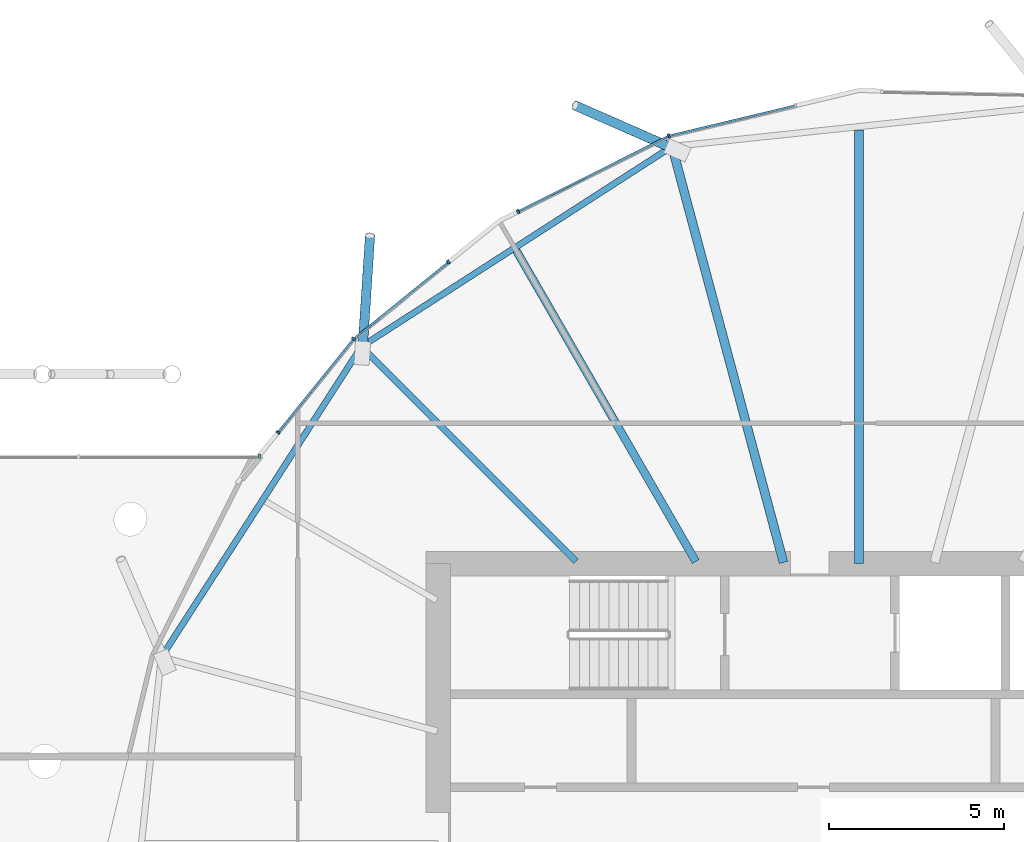
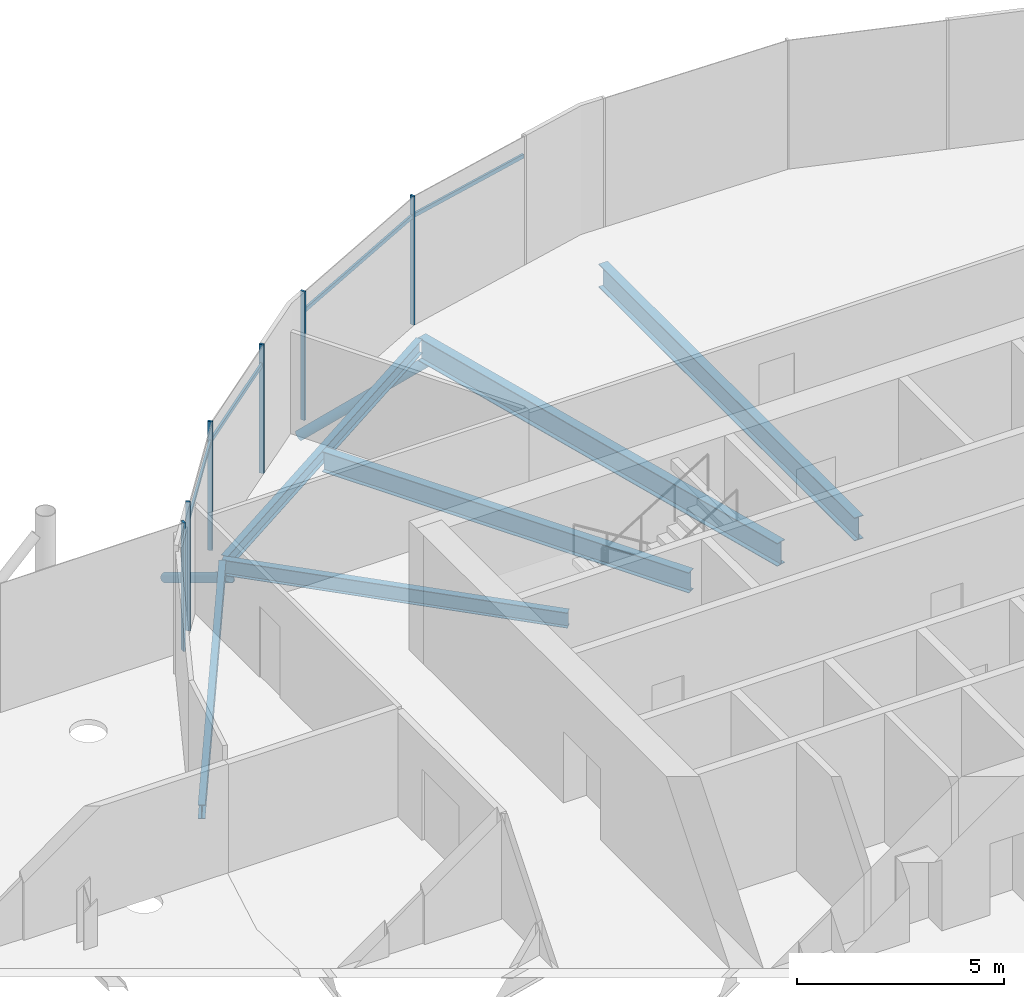
# One storey, part 16 of 39: 12 members, 6 beams, 2 elements without a shape of their own.
"""IFC4 building model written with IfcOpenShell, lengths in metres."""

from ifc_helpers import new_model, si_unit, direction, frame, origin, origin_2d, place, context, subcontext, project, spatial, rectangle, hollow_circle, i_section, extrude, clip, halfspace, material, material_profile, profile_set, type_object, element, aggregate, save


model = new_model("IFC4")

# Units and contexts
model_context = context("Model", 3, precision=1e-05, world=origin(), true_north=direction((0.0, 1.0)))
body_context = subcontext(model_context, "Body", "Model", "MODEL_VIEW")
ifc_project = project(units=[si_unit("LENGTHUNIT", "METRE"), si_unit("AREAUNIT", "SQUARE_METRE"), si_unit("VOLUMEUNIT", "CUBIC_METRE"), si_unit("PLANEANGLEUNIT", "RADIAN"), si_unit("MASSUNIT", "GRAM", prefix="KILO")], contexts=[model_context])

# Site, building, storey
site_placement = place(None, origin())
site = spatial("IfcSite", under=ifc_project, at=site_placement, CompositionType="ELEMENT")
building_placement = place(site_placement, origin())
building = spatial("IfcBuilding", under=site, at=building_placement, Name="Rimbun Link Towers", CompositionType="ELEMENT")
storey_placement = place(building_placement, frame((0.0, 0.0, 139.199951171875)))
storey = spatial("IfcBuildingStorey", under=building, at=storey_placement, Name="L33", CompositionType="ELEMENT", Elevation=139.199951171875)

# Curtain wall, members
ifc_material_1 = material(Name="Aluminium 6063-T6 and low-iron glass", Category="aluminium")
curtain_wall_type = type_object("IfcCurtainWallType", Name="CW4 link block wall", PredefinedType="NOTDEFINED", material=ifc_material_1)
curtain_wall_1_placement = place(storey_placement, origin())
curtain_wall_1 = element("IfcCurtainWall", 1, at=curtain_wall_1_placement, inside=storey, type_object=curtain_wall_type, Name="CW4 L33 T2", PredefinedType="NOTDEFINED")
ifc_material_2 = material(Name="Aluminium 6063-T6", Category="aluminium")
ifc_material_profile_1 = material_profile(ifc_material_2, rectangle(XDim=0.1201171875, YDim=0.06005859375, at=origin_2d()), Name="MULLION 60X120")
ifc_profile_set_1 = profile_set([ifc_material_profile_1], Name="Aluminium 6063-T6")
member_type_1 = type_object("IfcMemberType", Name="CW4 mullion 60X120", PredefinedType="MULLION", material=ifc_profile_set_1)
member_1_placement = place(storey_placement, frame((26.332763671875, 20.197021484375, 0.0), z_axis=(0.0, 0.0, 1.0), x_axis=(-0.342963066451, 0.939348888886, 0.0)))
member_1 = element("IfcMember", 2, at=member_1_placement, type_object=member_type_1, Name="CW4 mullion", PredefinedType="MULLION", context=body_context, shape_type="SweptSolid", body=[
    extrude(rectangle(XDim=0.1201171875, YDim=0.06005859375, at=origin_2d()), origin(), (0.0, 0.0, 1.0), 3.800048828125),
])
member_2_placement = place(storey_placement, frame((22.03173828125, 18.03759765625, 0.0), z_axis=(0.0, 0.0, 1.0), x_axis=(-0.448781608432, 0.893641464981, 0.0)))
member_2 = element("IfcMember", 3, at=member_2_placement, type_object=member_type_1, Name="CW4 mullion", PredefinedType="MULLION", context=body_context, shape_type="SweptSolid", body=[
    extrude(rectangle(XDim=0.1201171875, YDim=0.06005859375, at=origin_2d()), origin(), (0.0, 0.0, 1.0), 3.800048828125),
])
member_3_placement = place(storey_placement, frame((17.34228515625, 14.40771484375, 0.0), z_axis=(0.0, 0.0, 1.0), x_axis=(-0.707106781187, 0.707106781187, 0.0)))
member_3 = element("IfcMember", 4, at=member_3_placement, type_object=member_type_1, Name="CW4 mullion", PredefinedType="MULLION", context=body_context, shape_type="SweptSolid", body=[
    extrude(rectangle(XDim=0.1201171875, YDim=0.06005859375, at=origin_2d()), origin(), (0.0, 0.0, 1.0), 3.800048828125),
])
member_4_placement = place(storey_placement, frame((20.046875, 16.597412109375, 0.0), z_axis=(0.0, 0.0, 1.0), x_axis=(-0.629158779809, 0.777276803841, 0.0)))
member_4 = element("IfcMember", 5, at=member_4_placement, type_object=member_type_1, Name="CW4 mullion", PredefinedType="MULLION", context=body_context, shape_type="SweptSolid", body=[
    extrude(rectangle(XDim=0.1201171875, YDim=0.06005859375, at=origin_2d()), origin(), (0.0, 0.0, 1.0), 3.800048828125),
])
member_5_placement = place(storey_placement, frame((15.18408203125, 11.7421875, 0.0), z_axis=(0.0, 0.0, 1.0), x_axis=(-0.777276803841, 0.629158779809, 0.0)))
member_5 = element("IfcMember", 6, at=member_5_placement, type_object=member_type_1, Name="CW4 mullion", PredefinedType="MULLION", context=body_context, shape_type="SweptSolid", body=[
    extrude(rectangle(XDim=0.1201171875, YDim=0.06005859375, at=origin_2d()), origin(), (0.0, 0.0, 1.0), 3.800048828125),
])

# Curtain wall, member
curtain_wall_2_placement = place(storey_placement, origin())
curtain_wall_2 = element("IfcCurtainWall", 7, at=curtain_wall_2_placement, inside=storey, type_object=curtain_wall_type, Name="CW4 L33 LB", PredefinedType="NOTDEFINED")
member_6_placement = place(storey_placement, frame((14.66064453125, 11.06005859375, 0.0), z_axis=(0.0, 0.0, 1.0), x_axis=(0.0, 1.0, 0.0)))
member_6 = element("IfcMember", 8, at=member_6_placement, type_object=member_type_1, Name="CW4 mullion", PredefinedType="MULLION", context=body_context, shape_type="SweptSolid", body=[
    extrude(rectangle(XDim=0.1201171875, YDim=0.06005859375, at=origin_2d()), origin(), (0.0, 0.0, 1.0), 3.800048828125),
])
aggregate(curtain_wall_2, [member_6])

# Member
ifc_material_3 = material(Name="Aluminium 6063-T6", Category="aluminium")
ifc_material_profile_2 = material_profile(ifc_material_3, rectangle(XDim=0.06005859375, YDim=0.1201171875, at=origin_2d()), Name="TRANSOM 60X120")
ifc_profile_set_2 = profile_set([ifc_material_profile_2], Name="Aluminium 6063-T6")
member_type_2 = type_object("IfcMemberType", Name="CW4 transom 60X120", PredefinedType="USERDEFINED", material=ifc_profile_set_2)
member_7_placement = place(storey_placement, frame((26.368896484375, 20.2041015625, 3.199951171875), z_axis=(0.972585489627, 0.232545619967, 0.0), x_axis=(-0.232545619967, 0.972585489627, 0.0)))
member_7 = element("IfcMember", 9, at=member_7_placement, type_object=member_type_2, Name="CW4 transom", ObjectType="TRANSOM", PredefinedType="USERDEFINED", context=body_context, shape_type="SweptSolid", body=[
    extrude(rectangle(XDim=0.06005859375, YDim=0.1201171875, at=origin_2d()), origin(), (0.0, 0.0, 1.0), 3.638916015625),
])

member_8_placement = place(storey_placement, frame((22.0595703125, 18.049072265625, 3.199951171875), z_axis=(0.893633550107, 0.448797368668, 0.0), x_axis=(-0.448797368668, 0.893633550107, 0.0)))
member_8 = element("IfcMember", 10, at=member_8_placement, type_object=member_type_2, Name="CW4 transom", ObjectType="TRANSOM", PredefinedType="USERDEFINED", context=body_context, shape_type="SweptSolid", body=[
    extrude(rectangle(XDim=0.06005859375, YDim=0.1201171875, at=origin_2d()), origin(), (0.0, 0.0, 1.0), 4.745849609375),
])

member_9_placement = place(storey_placement, frame((17.37158203125, 14.42919921875, 3.199951171875), z_axis=(0.777248201938, 0.629194113596, 0.0), x_axis=(-0.629194113596, 0.777248201938, 0.0)))
member_9 = element("IfcMember", 11, at=member_9_placement, type_object=member_type_2, Name="CW4 transom", ObjectType="TRANSOM", PredefinedType="USERDEFINED", context=body_context, shape_type="SweptSolid", body=[
    extrude(rectangle(XDim=0.06005859375, YDim=0.1201171875, at=origin_2d()), origin(), (0.0, 0.0, 1.0), 3.413330078125),
])

member_10_placement = place(storey_placement, frame((15.20458984375, 11.76416015625, 3.199951171875), z_axis=(0.629181523638, 0.77725839353, 0.0), x_axis=(-0.77725839353, 0.629181523638, 0.0)))
member_10 = element("IfcMember", 12, at=member_10_placement, type_object=member_type_2, Name="CW4 transom", ObjectType="TRANSOM", PredefinedType="USERDEFINED", context=body_context, shape_type="SweptSolid", body=[
    extrude(rectangle(XDim=0.06005859375, YDim=0.1201171875, at=origin_2d()), origin(), (0.0, 0.0, 1.0), 3.363525390625),
])

aggregate(curtain_wall_1, [member_1, member_2, member_3, member_4, member_5, member_7, member_8, member_9, member_10])

# Members
ifc_material_4 = material(Name="Steel S355J2H", Category="steel")
ifc_material_profile_3 = material_profile(ifc_material_4, hollow_circle(Radius=0.136474609375, WallThickness=0.012451171875, at=origin_2d()), Name="CHS 273x12.5")
ifc_profile_set_3 = profile_set([ifc_material_profile_3], Name="Steel S355J2H")
member_type_3 = type_object("IfcMemberType", Name="Floor edge link CHS 273x12.5", PredefinedType="BRACE", material=ifc_profile_set_3)
member_11_placement = place(storey_placement, frame((26.432373046875, 19.845703125, -0.979248046875), z_axis=(-0.775455070233, 0.340153604427, -0.531944507863), x_axis=(-0.401702826454, -0.915770079888, 0.0)))
element("IfcMember", 13, at=member_11_placement, inside=storey, type_object=member_type_3, Name="Floor edge link T2 L33 04", PredefinedType="BRACE", context=body_context, shape_type="Clipping", body=[
    clip(extrude(hollow_circle(Radius=0.136474609375, WallThickness=0.012451171875, at=origin_2d()), frame((0.0, 0.0, -0.453369140625)), (0.0, 0.0, 1.0), 4.045654296875), halfspace(frame((0.0, 0.0, -0.2138671875), z_axis=(0.0, 0.846779215944, -0.531944507863)), False)),
])
member_12_placement = place(storey_placement, frame((17.597900390625, 14.152099609375, -0.749267578125), z_axis=(0.055679770072, 0.844380180972, -0.53284319756), x_axis=(-0.997832918256, 0.065798687263, 0.0)))
element("IfcMember", 14, at=member_12_placement, inside=storey, type_object=member_type_3, Name="Floor edge link T2 L33 06", PredefinedType="BRACE", context=body_context, shape_type="Clipping", body=[
    clip(extrude(hollow_circle(Radius=0.136474609375, WallThickness=0.012451171875, at=origin_2d()), frame((0.0, 0.0, -0.452392578125)), (0.0, 0.0, 1.0), 4.25390625), halfspace(frame((0.0, 0.0, -0.2138671875), z_axis=(0.0, 0.846213995874, -0.53284319756)), False)),
])

# Beams
ifc_material_5 = material(Name="Steel S355J2", Category="steel")
ifc_material_profile_4 = material_profile(ifc_material_5, i_section(OverallWidth=0.177978515625, OverallDepth=0.406494140625, WebThickness=0.0078125, FlangeThickness=0.0126953125, at=origin_2d()), Name="UB 406x178x60")
ifc_profile_set_4 = profile_set([ifc_material_profile_4], Name="Steel S355J2")
beam_type_1 = type_object("IfcBeamType", Name="UB 406x178x60", PredefinedType="BEAM", material=ifc_profile_set_4)
beam_1_placement = place(storey_placement, frame((26.306640625, 19.8212890625, -0.383056640625), z_axis=(-0.840631448215, -0.541607577747, 0.0), x_axis=(0.541607577747, -0.840631448215, 0.0)))
element("IfcBeam", 15, at=beam_1_placement, inside=storey, type_object=beam_type_1, Name="Edge beam T2 L33 04-06", PredefinedType="BEAM", context=body_context, shape_type="SweptSolid", body=[
    extrude(i_section(OverallWidth=0.177978515625, OverallDepth=0.406494140625, WebThickness=0.0078125, FlangeThickness=0.0126953125, at=origin_2d()), origin(), (0.0, 0.0, 1.0), 10.3037109375),
])
beam_2_placement = place(storey_placement, frame((17.50927734375, 14.10498046875, -0.383056640625), z_axis=(-0.541622715857, -0.84062169474, 0.0), x_axis=(0.84062169474, -0.541622715857, 0.0)))
element("IfcBeam", 16, at=beam_2_placement, inside=storey, type_object=beam_type_1, Name="Edge beam T2 L33 06-08", PredefinedType="BEAM", context=body_context, shape_type="SweptSolid", body=[
    extrude(i_section(OverallWidth=0.177978515625, OverallDepth=0.406494140625, WebThickness=0.0078125, FlangeThickness=0.0126953125, at=origin_2d()), origin(), (0.0, 0.0, 1.0), 10.337158203125),
])
ifc_material_6 = material(Name="Steel S355J2", Category="steel")
ifc_material_profile_5 = material_profile(ifc_material_6, i_section(OverallWidth=0.18994140625, OverallDepth=0.453369140625, WebThickness=0.008544921875, FlangeThickness=0.0126953125, at=origin_2d()), Name="UB 457x191x67")
ifc_profile_set_5 = profile_set([ifc_material_profile_5], Name="Steel S355J2")
beam_type_2 = type_object("IfcBeamType", Name="UB 457x191x67", PredefinedType="BEAM", material=ifc_profile_set_5)
beam_3_placement = place(storey_placement, frame((23.68212890625, 8.06787109375, -0.40673828125), z_axis=(-0.707106781187, 0.707106781187, 0.0), x_axis=(-0.707106781187, -0.707106781187, 0.0)))
element("IfcBeam", 17, at=beam_3_placement, inside=storey, type_object=beam_type_2, Name="Radial beam T2 L33 06", PredefinedType="BEAM", context=body_context, shape_type="SweptSolid", body=[
    extrude(i_section(OverallWidth=0.18994140625, OverallDepth=0.453369140625, WebThickness=0.008544921875, FlangeThickness=0.0126953125, at=origin_2d()), origin(), (0.0, 0.0, 1.0), 8.654541015625),
])
ifc_material_7 = material(Name="Steel S355J2", Category="steel")
ifc_material_profile_6 = material_profile(ifc_material_7, i_section(OverallWidth=0.2275390625, OverallDepth=0.6025390625, WebThickness=0.010498046875, FlangeThickness=0.014892578125, at=origin_2d()), Name="UB 610x229x101")
ifc_profile_set_6 = profile_set([ifc_material_profile_6], Name="Steel S355J2")
beam_type_3 = type_object("IfcBeamType", Name="UB 610x229x101", PredefinedType="BEAM", material=ifc_profile_set_6)
beam_4_placement = place(storey_placement, frame((27.097900390625, 8.057861328125, -0.481201171875), z_axis=(-0.500008646395, 0.866020411728, 0.0), x_axis=(-0.866020411728, -0.500008646395, 0.0)))
element("IfcBeam", 18, at=beam_4_placement, inside=storey, type_object=beam_type_3, Name="Radial beam T2 L33 05", PredefinedType="BEAM", context=body_context, shape_type="SweptSolid", body=[
    extrude(i_section(OverallWidth=0.2275390625, OverallDepth=0.6025390625, WebThickness=0.010498046875, FlangeThickness=0.014892578125, at=origin_2d()), origin(), (0.0, 0.0, 1.0), 10.239501953125),
])
ifc_material_8 = material(Name="Steel S355J2", Category="steel")
ifc_material_profile_7 = material_profile(ifc_material_8, i_section(OverallWidth=0.253662109375, OverallDepth=0.68359375, WebThickness=0.012451171875, FlangeThickness=0.01904296875, at=origin_2d()), Name="UB 686x254x140")
ifc_profile_set_7 = profile_set([ifc_material_profile_7], Name="Steel S355J2")
beam_type_4 = type_object("IfcBeamType", Name="UB 686x254x140", PredefinedType="BEAM", material=ifc_profile_set_7)
beam_5_placement = place(storey_placement, frame((31.75, 8.0009765625, -0.521728515625), z_axis=(0.0, 1.0, 0.0), x_axis=(-1.0, 0.0, 0.0)))
element("IfcBeam", 19, at=beam_5_placement, inside=storey, type_object=beam_type_4, Name="Radial beam T2 L33 03", PredefinedType="BEAM", context=body_context, shape_type="SweptSolid", body=[
    extrude(i_section(OverallWidth=0.253662109375, OverallDepth=0.68359375, WebThickness=0.012451171875, FlangeThickness=0.01904296875, at=origin_2d()), origin(), (0.0, 0.0, 1.0), 12.3701171875),
])
beam_6_placement = place(storey_placement, frame((29.597412109375, 8.03369140625, -0.521728515625), z_axis=(-0.258819568836, 0.965925685955, 0.0), x_axis=(-0.965925685955, -0.258819568836, 0.0)))
element("IfcBeam", 20, at=beam_6_placement, inside=storey, type_object=beam_type_4, Name="Radial beam T2 L33 04", PredefinedType="BEAM", context=body_context, shape_type="SweptSolid", body=[
    extrude(i_section(OverallWidth=0.253662109375, OverallDepth=0.68359375, WebThickness=0.012451171875, FlangeThickness=0.01904296875, at=origin_2d()), origin(), (0.0, 0.0, 1.0), 12.27880859375),
])

save(model, "model.ifc")
